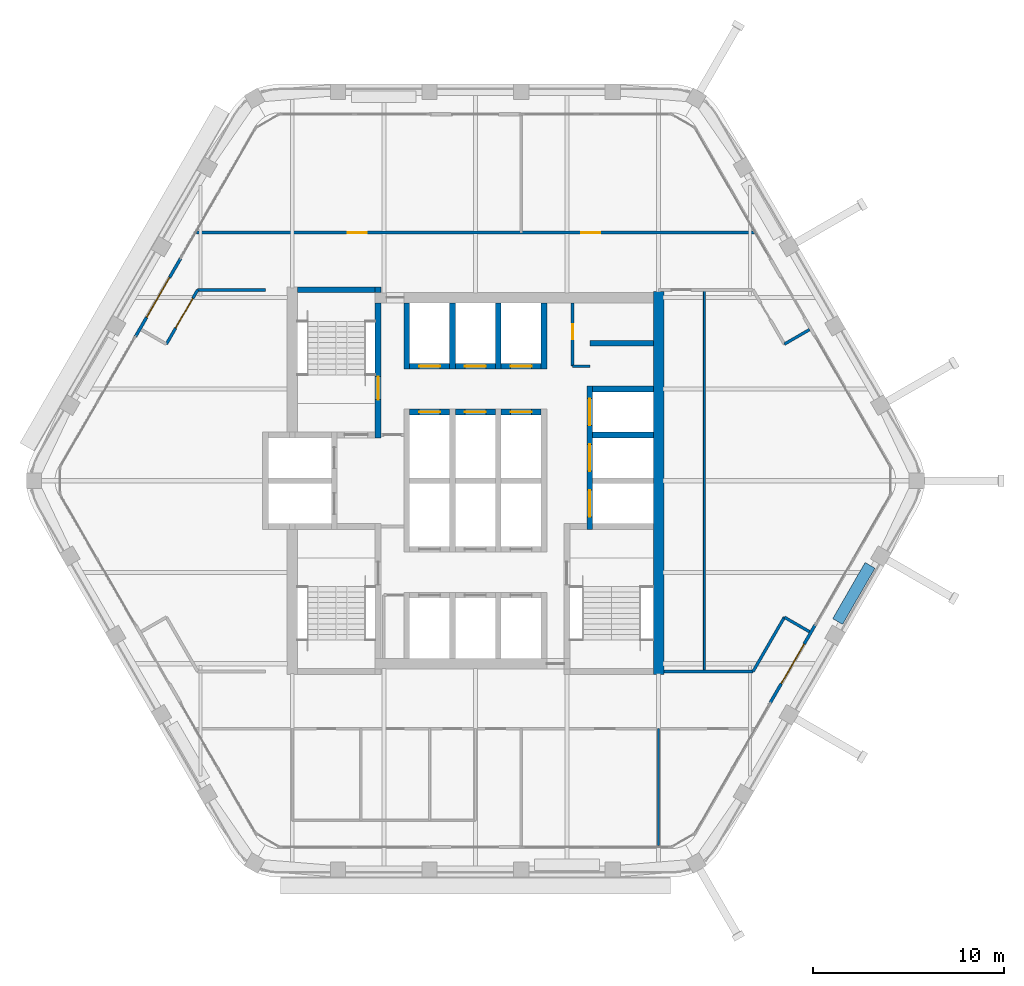
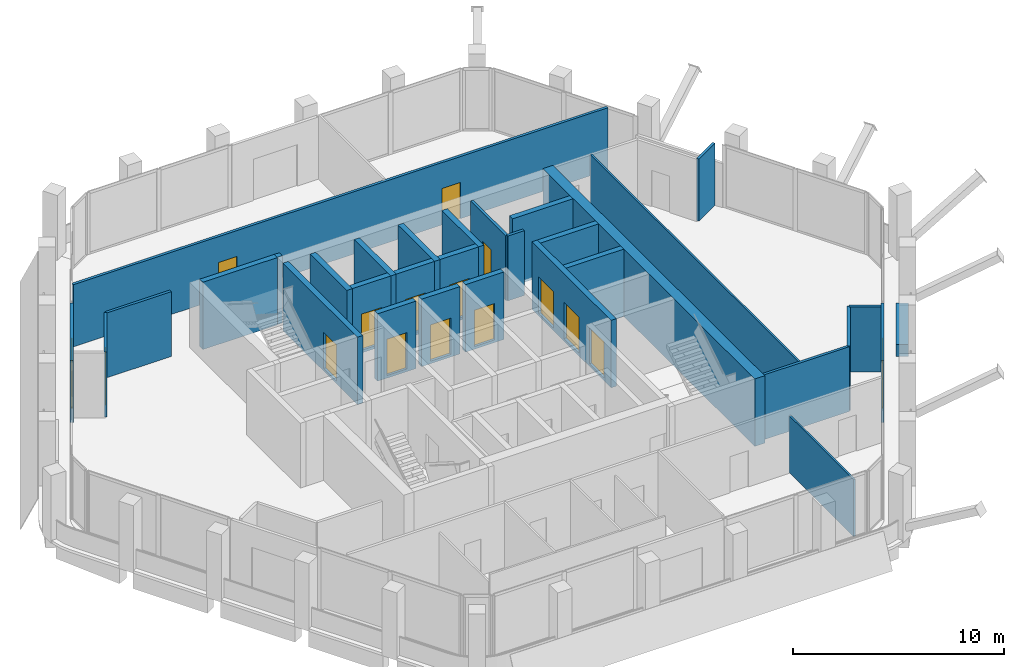
# One storey, part 9 of 14: 32 walls, 16 doors, 16 openings.
"""IFC4 building model written with IfcOpenShell, lengths in metres."""

from ifc_helpers import new_model, si_unit, direction, frame, frame_2d, origin, place, context, subcontext, project, spatial, rectangle, extrude, material, layer, layer_set, type_object, element, fill, save


model = new_model("IFC4")

# Units and contexts
model_context = context("Model", 3, precision=1e-05, world=origin(), true_north=direction((0.0, 1.0)))
body_context = subcontext(model_context, "Body", "Model", "MODEL_VIEW")
ifc_project = project(units=[si_unit("LENGTHUNIT", "METRE"), si_unit("AREAUNIT", "SQUARE_METRE"), si_unit("VOLUMEUNIT", "CUBIC_METRE"), si_unit("PLANEANGLEUNIT", "RADIAN"), si_unit("MASSUNIT", "GRAM", prefix="KILO")], contexts=[model_context])

# Site, building, storey
site_placement = place(None, origin())
site = spatial("IfcSite", under=ifc_project, at=site_placement, CompositionType="ELEMENT")
building_placement = place(site_placement, origin())
building = spatial("IfcBuilding", under=site, at=building_placement, Name="Kolab Exchange Tower", CompositionType="ELEMENT")
storey_placement = place(building_placement, frame((0.0, 0.0, 281.300048828125)))
storey = spatial("IfcBuildingStorey", under=building, at=storey_placement, Name="L63", CompositionType="ELEMENT", Elevation=281.300048828125)

# Wall
ifc_material_1 = material(Name="Concrete C50/60", Category="concrete")
ifc_layer_1 = layer(ifc_material_1, 0.550048828125)
ifc_layer_set_1 = layer_set([ifc_layer_1], Name="Concrete C50/60")
wall_type_1 = type_object("IfcWallType", Name="CORE WALL 550 C50/60", PredefinedType="SHEAR", material=ifc_layer_set_1)
wall_1_placement = place(storey_placement, frame((9.60009765625, -10.14990234375, -0.150146484375), z_axis=(0.0, 0.0, 1.0), x_axis=(0.0, 1.0, 0.0)))
element("IfcWall", 1, at=wall_1_placement, inside=storey, type_object=wall_type_1, Name="wall/L63/core/058", PredefinedType="SHEAR", context=body_context, shape_type="SweptSolid", body=[
    extrude(rectangle(XDim=20.074951171875, YDim=0.550048828125, at=frame_2d((10.03759765625, 0.0))), origin(), (0.0, 0.0, 1.0), 3.900146484375),
])

# Wall, opening, door
ifc_material_2 = material(Name="Aluminium EN AW-6063 T6", Category="aluminium")
ifc_layer_2 = layer(ifc_material_2, 0.159912109375)
ifc_layer_set_2 = layer_set([ifc_layer_2], Name="Aluminium EN AW-6063 T6")
wall_type_2 = type_object("IfcWallType", Name="DOOR SURROUND WALL 160 ALUMINIUM FRAMED", PredefinedType="PARTITIONING", material=ifc_layer_set_2)
wall_2_placement = place(storey_placement, frame((17.816650390625, -7.5498046875, 0.0), z_axis=(0.0, 0.0, 1.0), x_axis=(-0.499978080042, -0.866038058908, 0.0)))
wall_2 = element("IfcWall", 2, at=wall_2_placement, inside=storey, type_object=wall_type_2, Name="Door surround wall", PredefinedType="PARTITIONING", context=body_context, shape_type="SweptSolid", body=[
    extrude(rectangle(XDim=4.739990234375, YDim=0.159912109375, at=frame_2d((2.3701171875, 0.0))), origin(), (0.0, 0.0, 1.0), 3.599853515625),
])
opening_1_placement = place(wall_2_placement, frame((1.169921875, 0.0, 0.0)))
opening_1 = element("IfcOpeningElement", 3, at=opening_1_placement, cuts=wall_2, Name="Opening GD1-100", PredefinedType="OPENING", context=body_context, shape_type="SweptSolid", body=[
    extrude(rectangle(XDim=2.39990234375, YDim=2.39990234375, at=frame_2d((1.199951171875, 1.199951171875))), frame((0.0, 0.08984375, 0.0), z_axis=(0.0, -1.0, 0.0), x_axis=(1.0, 0.0, 0.0)), (0.0, 0.0, 1.0), 0.179931640625),
])
door_type_1 = type_object("IfcDoorType", Name="LOGGIA SLIDING GLASS DOOR 2400 X 2400", OperationType="DOUBLE_DOOR_SINGLE_SWING", PredefinedType="DOOR", material=ifc_material_2)
door_1_placement = place(opening_1_placement, origin())
door_1 = element("IfcDoor", 4, at=door_1_placement, inside=storey, type_object=door_type_1, Name="Loggia door", OperationType="DOUBLE_DOOR_SLIDING", OverallHeight=2.39990234375, OverallWidth=2.39990234375, PredefinedType="DOOR", context=body_context, shape_type="SweptSolid", body=[
    extrude(rectangle(XDim=2.39990234375, YDim=2.39990234375, at=frame_2d((1.199951171875, 1.199951171875))), frame((0.0, 0.02490234375, 0.0), z_axis=(0.0, -1.0, 0.0), x_axis=(1.0, 0.0, 0.0)), (0.0, 0.0, 1.0), 0.050048828125),
])
fill(opening_1, door_1)

wall_3_placement = place(storey_placement, frame((-17.816650390625, 7.5498046875, 0.0), z_axis=(0.0, 0.0, 1.0), x_axis=(0.499978080042, 0.866038058908, 0.0)))
wall_3 = element("IfcWall", 5, at=wall_3_placement, inside=storey, type_object=wall_type_2, Name="Door surround wall", PredefinedType="PARTITIONING", context=body_context, shape_type="SweptSolid", body=[
    extrude(rectangle(XDim=4.739990234375, YDim=0.159912109375, at=frame_2d((2.3701171875, 0.0))), origin(), (0.0, 0.0, 1.0), 3.599853515625),
])
opening_2_placement = place(wall_3_placement, frame((1.169921875, 0.0, 0.0)))
opening_2 = element("IfcOpeningElement", 6, at=opening_2_placement, cuts=wall_3, Name="Opening GD1-103", PredefinedType="OPENING", context=body_context, shape_type="SweptSolid", body=[
    extrude(rectangle(XDim=2.39990234375, YDim=2.39990234375, at=frame_2d((1.199951171875, 1.199951171875))), frame((0.0, 0.08984375, 0.0), z_axis=(0.0, -1.0, 0.0), x_axis=(1.0, 0.0, 0.0)), (0.0, 0.0, 1.0), 0.179931640625),
])
door_2_placement = place(opening_2_placement, origin())
door_2 = element("IfcDoor", 7, at=door_2_placement, inside=storey, type_object=door_type_1, Name="Loggia door", OperationType="DOUBLE_DOOR_SLIDING", OverallHeight=2.39990234375, OverallWidth=2.39990234375, PredefinedType="DOOR", context=body_context, shape_type="SweptSolid", body=[
    extrude(rectangle(XDim=2.39990234375, YDim=2.39990234375, at=frame_2d((1.199951171875, 1.199951171875))), frame((0.0, 0.02490234375, 0.0), z_axis=(0.0, -1.0, 0.0), x_axis=(1.0, 0.0, 0.0)), (0.0, 0.0, 1.0), 0.050048828125),
])
fill(opening_2, door_2)

# Wall
ifc_layer_3 = layer(ifc_material_1, 0.300048828125)
ifc_layer_set_3 = layer_set([ifc_layer_3], Name="Concrete C50/60")
wall_type_3 = type_object("IfcWallType", Name="LIFT SHAFT WALL 300 C50/60", PredefinedType="STANDARD", material=ifc_layer_set_3)
wall_4_placement = place(storey_placement, frame((6.14990234375, 2.39990234375, -0.150146484375), z_axis=(0.0, 0.0, 1.0), x_axis=(1.0, 0.0, 0.0)))
element("IfcWall", 8, at=wall_4_placement, inside=storey, type_object=wall_type_3, Name="wall/L63/core/022", PredefinedType="STANDARD", context=body_context, shape_type="SweptSolid", body=[
    extrude(rectangle(XDim=3.175048828125, YDim=0.300048828125, at=frame_2d((1.58740234375, 0.0))), origin(), (0.0, 0.0, 1.0), 3.900146484375),
])

# Wall, opening, door
wall_5_placement = place(storey_placement, frame((-3.449951171875, 3.60009765625, -0.150146484375), z_axis=(0.0, 0.0, 1.0), x_axis=(1.0, 0.0, 0.0)))
wall_5 = element("IfcWall", 9, at=wall_5_placement, inside=storey, type_object=wall_type_3, Name="wall/L63/core/023", PredefinedType="STANDARD", context=body_context, shape_type="SweptSolid", body=[
    extrude(rectangle(XDim=2.099853515625, YDim=0.300048828125, at=frame_2d((1.0498046875, 0.0))), origin(), (0.0, 0.0, 1.0), 3.900146484375),
])
opening_3_placement = place(wall_5_placement, frame((0.5, 0.0, 0.14990234375)))
opening_3 = element("IfcOpeningElement", 10, at=opening_3_placement, cuts=wall_5, Name="Opening LD1-115", PredefinedType="OPENING", context=body_context, shape_type="SweptSolid", body=[
    extrude(rectangle(XDim=1.10009765625, YDim=2.10009765625, at=frame_2d((0.550048828125, 1.050048828125))), frame((0.0, 0.16015625, 0.0), z_axis=(0.0, -1.0, 0.0), x_axis=(1.0, 0.0, 0.0)), (0.0, 0.0, 1.0), 0.320068359375),
])
ifc_material_3 = material(Name="Stainless steel 316", Category="steel")
door_type_2 = type_object("IfcDoorType", Name="LANDING DOOR 1100 PASSENGER", OperationType="DOUBLE_DOOR_SLIDING", PredefinedType="DOOR", material=ifc_material_3)
door_3_placement = place(opening_3_placement, origin())
door_3 = element("IfcDoor", 11, at=door_3_placement, inside=storey, type_object=door_type_2, Name="Landing door HR4", OperationType="DOUBLE_DOOR_SLIDING", OverallHeight=2.10009765625, OverallWidth=1.10009765625, PredefinedType="DOOR", context=body_context, shape_type="SweptSolid", body=[
    extrude(rectangle(XDim=1.10009765625, YDim=2.10009765625, at=frame_2d((0.550048828125, 1.050048828125))), frame((0.0, 0.02490234375, 0.0), z_axis=(0.0, -1.0, 0.0), x_axis=(1.0, 0.0, 0.0)), (0.0, 0.0, 1.0), 0.050048828125),
])
fill(opening_3, door_3)

wall_6_placement = place(storey_placement, frame((-1.050048828125, 3.60009765625, -0.150146484375), z_axis=(0.0, 0.0, 1.0), x_axis=(1.0, 0.0, 0.0)))
wall_6 = element("IfcWall", 12, at=wall_6_placement, inside=storey, type_object=wall_type_3, Name="wall/L63/core/024", PredefinedType="STANDARD", context=body_context, shape_type="SweptSolid", body=[
    extrude(rectangle(XDim=2.10009765625, YDim=0.300048828125, at=frame_2d((1.050048828125, 0.0))), origin(), (0.0, 0.0, 1.0), 3.900146484375),
])
opening_4_placement = place(wall_6_placement, frame((0.5, 0.0, 0.14990234375)))
opening_4 = element("IfcOpeningElement", 13, at=opening_4_placement, cuts=wall_6, Name="Opening LD1-116", PredefinedType="OPENING", context=body_context, shape_type="SweptSolid", body=[
    extrude(rectangle(XDim=1.10009765625, YDim=2.10009765625, at=frame_2d((0.550048828125, 1.050048828125))), frame((0.0, 0.16015625, 0.0), z_axis=(0.0, -1.0, 0.0), x_axis=(1.0, 0.0, 0.0)), (0.0, 0.0, 1.0), 0.320068359375),
])
door_4_placement = place(opening_4_placement, origin())
door_4 = element("IfcDoor", 14, at=door_4_placement, inside=storey, type_object=door_type_2, Name="Landing door HR5", OperationType="DOUBLE_DOOR_SLIDING", OverallHeight=2.10009765625, OverallWidth=1.10009765625, PredefinedType="DOOR", context=body_context, shape_type="SweptSolid", body=[
    extrude(rectangle(XDim=1.10009765625, YDim=2.10009765625, at=frame_2d((0.550048828125, 1.050048828125))), frame((0.0, 0.02490234375, 0.0), z_axis=(0.0, -1.0, 0.0), x_axis=(1.0, 0.0, 0.0)), (0.0, 0.0, 1.0), 0.050048828125),
])
fill(opening_4, door_4)

wall_7_placement = place(storey_placement, frame((1.35009765625, 3.60009765625, -0.150146484375), z_axis=(0.0, 0.0, 1.0), x_axis=(1.0, 0.0, 0.0)))
wall_7 = element("IfcWall", 15, at=wall_7_placement, inside=storey, type_object=wall_type_3, Name="wall/L63/core/025", PredefinedType="STANDARD", context=body_context, shape_type="SweptSolid", body=[
    extrude(rectangle(XDim=2.099853515625, YDim=0.300048828125, at=frame_2d((1.0498046875, 0.0))), origin(), (0.0, 0.0, 1.0), 3.900146484375),
])
opening_5_placement = place(wall_7_placement, frame((0.5, 0.0, 0.14990234375)))
opening_5 = element("IfcOpeningElement", 16, at=opening_5_placement, cuts=wall_7, Name="Opening LD1-117", PredefinedType="OPENING", context=body_context, shape_type="SweptSolid", body=[
    extrude(rectangle(XDim=1.10009765625, YDim=2.10009765625, at=frame_2d((0.550048828125, 1.050048828125))), frame((0.0, 0.16015625, 0.0), z_axis=(0.0, -1.0, 0.0), x_axis=(1.0, 0.0, 0.0)), (0.0, 0.0, 1.0), 0.320068359375),
])
door_5_placement = place(opening_5_placement, origin())
door_5 = element("IfcDoor", 17, at=door_5_placement, inside=storey, type_object=door_type_2, Name="Landing door HR6", OperationType="DOUBLE_DOOR_SLIDING", OverallHeight=2.10009765625, OverallWidth=1.10009765625, PredefinedType="DOOR", context=body_context, shape_type="SweptSolid", body=[
    extrude(rectangle(XDim=1.10009765625, YDim=2.10009765625, at=frame_2d((0.550048828125, 1.050048828125))), frame((0.0, 0.02490234375, 0.0), z_axis=(0.0, -1.0, 0.0), x_axis=(1.0, 0.0, 0.0)), (0.0, 0.0, 1.0), 0.050048828125),
])
fill(opening_5, door_5)

# Wall
wall_8_placement = place(storey_placement, frame((6.14990234375, 4.800048828125, -0.150146484375), z_axis=(0.0, 0.0, 1.0), x_axis=(1.0, 0.0, 0.0)))
element("IfcWall", 18, at=wall_8_placement, inside=storey, type_object=wall_type_3, Name="wall/L63/core/026", PredefinedType="STANDARD", context=body_context, shape_type="SweptSolid", body=[
    extrude(rectangle(XDim=3.175048828125, YDim=0.300048828125, at=frame_2d((1.58740234375, 0.0))), origin(), (0.0, 0.0, 1.0), 3.900146484375),
])

# Wall, opening, door
wall_9_placement = place(storey_placement, frame((-3.449951171875, 6.0, -0.150146484375), z_axis=(0.0, 0.0, 1.0), x_axis=(1.0, 0.0, 0.0)))
wall_9 = element("IfcWall", 19, at=wall_9_placement, inside=storey, type_object=wall_type_3, Name="wall/L63/core/027", PredefinedType="STANDARD", context=body_context, shape_type="SweptSolid", body=[
    extrude(rectangle(XDim=2.099853515625, YDim=0.300048828125, at=frame_2d((1.0498046875, 0.0))), origin(), (0.0, 0.0, 1.0), 3.900146484375),
])
opening_6_placement = place(wall_9_placement, frame((0.5, 0.0, 0.14990234375)))
opening_6 = element("IfcOpeningElement", 20, at=opening_6_placement, cuts=wall_9, Name="Opening LD1-109", PredefinedType="OPENING", context=body_context, shape_type="SweptSolid", body=[
    extrude(rectangle(XDim=1.10009765625, YDim=2.10009765625, at=frame_2d((0.550048828125, 1.050048828125))), frame((0.0, 0.16015625, 0.0), z_axis=(0.0, -1.0, 0.0), x_axis=(1.0, 0.0, 0.0)), (0.0, 0.0, 1.0), 0.320068359375),
])
door_6_placement = place(opening_6_placement, origin())
door_6 = element("IfcDoor", 21, at=door_6_placement, inside=storey, type_object=door_type_2, Name="Landing door HR1", OperationType="DOUBLE_DOOR_SLIDING", OverallHeight=2.10009765625, OverallWidth=1.10009765625, PredefinedType="DOOR", context=body_context, shape_type="SweptSolid", body=[
    extrude(rectangle(XDim=1.10009765625, YDim=2.10009765625, at=frame_2d((0.550048828125, 1.050048828125))), frame((0.0, 0.02490234375, 0.0), z_axis=(0.0, -1.0, 0.0), x_axis=(1.0, 0.0, 0.0)), (0.0, 0.0, 1.0), 0.050048828125),
])
fill(opening_6, door_6)

wall_10_placement = place(storey_placement, frame((-1.050048828125, 6.0, -0.150146484375), z_axis=(0.0, 0.0, 1.0), x_axis=(1.0, 0.0, 0.0)))
wall_10 = element("IfcWall", 22, at=wall_10_placement, inside=storey, type_object=wall_type_3, Name="wall/L63/core/028", PredefinedType="STANDARD", context=body_context, shape_type="SweptSolid", body=[
    extrude(rectangle(XDim=2.10009765625, YDim=0.300048828125, at=frame_2d((1.050048828125, 0.0))), origin(), (0.0, 0.0, 1.0), 3.900146484375),
])
opening_7_placement = place(wall_10_placement, frame((0.5, 0.0, 0.14990234375)))
opening_7 = element("IfcOpeningElement", 23, at=opening_7_placement, cuts=wall_10, Name="Opening LD1-113", PredefinedType="OPENING", context=body_context, shape_type="SweptSolid", body=[
    extrude(rectangle(XDim=1.10009765625, YDim=2.10009765625, at=frame_2d((0.550048828125, 1.050048828125))), frame((0.0, 0.16015625, 0.0), z_axis=(0.0, -1.0, 0.0), x_axis=(1.0, 0.0, 0.0)), (0.0, 0.0, 1.0), 0.320068359375),
])
door_7_placement = place(opening_7_placement, origin())
door_7 = element("IfcDoor", 24, at=door_7_placement, inside=storey, type_object=door_type_2, Name="Landing door HR2", OperationType="DOUBLE_DOOR_SLIDING", OverallHeight=2.10009765625, OverallWidth=1.10009765625, PredefinedType="DOOR", context=body_context, shape_type="SweptSolid", body=[
    extrude(rectangle(XDim=1.10009765625, YDim=2.10009765625, at=frame_2d((0.550048828125, 1.050048828125))), frame((0.0, 0.02490234375, 0.0), z_axis=(0.0, -1.0, 0.0), x_axis=(1.0, 0.0, 0.0)), (0.0, 0.0, 1.0), 0.050048828125),
])
fill(opening_7, door_7)

wall_11_placement = place(storey_placement, frame((1.35009765625, 6.0, -0.150146484375), z_axis=(0.0, 0.0, 1.0), x_axis=(1.0, 0.0, 0.0)))
wall_11 = element("IfcWall", 25, at=wall_11_placement, inside=storey, type_object=wall_type_3, Name="wall/L63/core/029", PredefinedType="STANDARD", context=body_context, shape_type="SweptSolid", body=[
    extrude(rectangle(XDim=2.099853515625, YDim=0.300048828125, at=frame_2d((1.0498046875, 0.0))), origin(), (0.0, 0.0, 1.0), 3.900146484375),
])
opening_8_placement = place(wall_11_placement, frame((0.5, 0.0, 0.14990234375)))
opening_8 = element("IfcOpeningElement", 26, at=opening_8_placement, cuts=wall_11, Name="Opening LD1-114", PredefinedType="OPENING", context=body_context, shape_type="SweptSolid", body=[
    extrude(rectangle(XDim=1.10009765625, YDim=2.10009765625, at=frame_2d((0.550048828125, 1.050048828125))), frame((0.0, 0.16015625, 0.0), z_axis=(0.0, -1.0, 0.0), x_axis=(1.0, 0.0, 0.0)), (0.0, 0.0, 1.0), 0.320068359375),
])
door_8_placement = place(opening_8_placement, origin())
door_8 = element("IfcDoor", 27, at=door_8_placement, inside=storey, type_object=door_type_2, Name="Landing door HR3", OperationType="DOUBLE_DOOR_SLIDING", OverallHeight=2.10009765625, OverallWidth=1.10009765625, PredefinedType="DOOR", context=body_context, shape_type="SweptSolid", body=[
    extrude(rectangle(XDim=1.10009765625, YDim=2.10009765625, at=frame_2d((0.550048828125, 1.050048828125))), frame((0.0, 0.02490234375, 0.0), z_axis=(0.0, -1.0, 0.0), x_axis=(1.0, 0.0, 0.0)), (0.0, 0.0, 1.0), 0.050048828125),
])
fill(opening_8, door_8)

# Walls
wall_12_placement = place(storey_placement, frame((6.0, 7.199951171875, -0.150146484375), z_axis=(0.0, 0.0, 1.0), x_axis=(1.0, 0.0, 0.0)))
element("IfcWall", 28, at=wall_12_placement, inside=storey, type_object=wall_type_3, Name="wall/L63/core/030", PredefinedType="STANDARD", context=body_context, shape_type="SweptSolid", body=[
    extrude(rectangle(XDim=3.324951171875, YDim=0.300048828125, at=frame_2d((1.66259765625, 0.0))), origin(), (0.0, 0.0, 1.0), 3.900146484375),
])
for number, where, z_axis, x_axis, name in (
    (29, (-3.60009765625, 5.85009765625, -0.150146484375), (0.0, 0.0, 1.0), (0.0, 1.0, 0.0), "wall/L63/core/045"),
    (30, (-1.199951171875, 5.85009765625, -0.150146484375), (0.0, 0.0, 1.0), (0.0, 1.0, 0.0), "wall/L63/core/048"),
    (31, (1.199951171875, 5.85009765625, -0.150146484375), (0.0, 0.0, 1.0), (0.0, 1.0, 0.0), "wall/L63/core/051"),
    (32, (3.60009765625, 5.85009765625, -0.150146484375), (0.0, 0.0, 1.0), (0.0, 1.0, 0.0), "wall/L63/core/054"),
):
    element("IfcWall", number, at=place(storey_placement, frame(where, z_axis=z_axis, x_axis=x_axis)), inside=storey, type_object=wall_type_3, Name=name, PredefinedType="STANDARD", context=body_context, shape_type="SweptSolid", body=[
        extrude(rectangle(XDim=3.474853515625, YDim=0.300048828125, at=frame_2d((1.7373046875, 0.0))), origin(), (0.0, 0.0, 1.0), 3.900146484375),
    ])

# Wall, openings, doors
wall_13_placement = place(storey_placement, frame((6.0, -2.550048828125, -0.150146484375), z_axis=(0.0, 0.0, 1.0), x_axis=(0.0, 1.0, 0.0)))
wall_13 = element("IfcWall", 33, at=wall_13_placement, inside=storey, type_object=wall_type_3, Name="wall/L63/core/057", PredefinedType="STANDARD", context=body_context, shape_type="SweptSolid", body=[
    extrude(rectangle(XDim=7.5, YDim=0.300048828125, at=frame_2d((3.75, 0.0))), origin(), (0.0, 0.0, 1.0), 3.900146484375),
])
opening_9_placement = place(wall_13_placement, frame((0.64990234375, 0.0, 0.14990234375)))
opening_9 = element("IfcOpeningElement", 34, at=opening_9_placement, cuts=wall_13, Name="Opening LD3-037", PredefinedType="OPENING", context=body_context, shape_type="SweptSolid", body=[
    extrude(rectangle(XDim=1.39990234375, YDim=2.10009765625, at=frame_2d((0.699951171875, 1.050048828125))), frame((0.0, 0.16015625, 0.0), z_axis=(0.0, -1.0, 0.0), x_axis=(1.0, 0.0, 0.0)), (0.0, 0.0, 1.0), 0.320068359375),
])
opening_10_placement = place(wall_13_placement, frame((3.050048828125, 0.0, 0.14990234375)))
opening_10 = element("IfcOpeningElement", 35, at=opening_10_placement, cuts=wall_13, Name="Opening LD3-038", PredefinedType="OPENING", context=body_context, shape_type="SweptSolid", body=[
    extrude(rectangle(XDim=1.39990234375, YDim=2.10009765625, at=frame_2d((0.699951171875, 1.050048828125))), frame((0.0, 0.16015625, 0.0), z_axis=(0.0, -1.0, 0.0), x_axis=(1.0, 0.0, 0.0)), (0.0, 0.0, 1.0), 0.320068359375),
])
opening_11_placement = place(wall_13_placement, frame((5.449951171875, 0.0, 0.14990234375)))
opening_11 = element("IfcOpeningElement", 36, at=opening_11_placement, cuts=wall_13, Name="Opening LD3-039", PredefinedType="OPENING", context=body_context, shape_type="SweptSolid", body=[
    extrude(rectangle(XDim=1.39990234375, YDim=2.10009765625, at=frame_2d((0.699951171875, 1.050048828125))), frame((0.0, 0.16015625, 0.0), z_axis=(0.0, -1.0, 0.0), x_axis=(1.0, 0.0, 0.0)), (0.0, 0.0, 1.0), 0.320068359375),
])
door_type_3 = type_object("IfcDoorType", Name="LANDING DOOR 1400 SERVICE", OperationType="DOUBLE_DOOR_SLIDING", PredefinedType="DOOR", material=ifc_material_3)
door_9_placement = place(opening_9_placement, origin())
door_9 = element("IfcDoor", 37, at=door_9_placement, inside=storey, type_object=door_type_3, Name="Landing door SV1", OperationType="DOUBLE_DOOR_SLIDING", OverallHeight=2.10009765625, OverallWidth=1.39990234375, PredefinedType="DOOR", context=body_context, shape_type="SweptSolid", body=[
    extrude(rectangle(XDim=1.39990234375, YDim=2.10009765625, at=frame_2d((0.699951171875, 1.050048828125))), frame((0.0, 0.02490234375, 0.0), z_axis=(0.0, -1.0, 0.0), x_axis=(1.0, 0.0, 0.0)), (0.0, 0.0, 1.0), 0.050048828125),
])
fill(opening_9, door_9)
door_10_placement = place(opening_10_placement, origin())
door_10 = element("IfcDoor", 38, at=door_10_placement, inside=storey, type_object=door_type_3, Name="Landing door SV2", OperationType="DOUBLE_DOOR_SLIDING", OverallHeight=2.10009765625, OverallWidth=1.39990234375, PredefinedType="DOOR", context=body_context, shape_type="SweptSolid", body=[
    extrude(rectangle(XDim=1.39990234375, YDim=2.10009765625, at=frame_2d((0.699951171875, 1.050048828125))), frame((0.0, 0.02490234375, 0.0), z_axis=(0.0, -1.0, 0.0), x_axis=(1.0, 0.0, 0.0)), (0.0, 0.0, 1.0), 0.050048828125),
])
fill(opening_10, door_10)
door_11_placement = place(opening_11_placement, origin())
door_11 = element("IfcDoor", 39, at=door_11_placement, inside=storey, type_object=door_type_3, Name="Landing door SV3", OperationType="DOUBLE_DOOR_SLIDING", OverallHeight=2.10009765625, OverallWidth=1.39990234375, PredefinedType="DOOR", context=body_context, shape_type="SweptSolid", body=[
    extrude(rectangle(XDim=1.39990234375, YDim=2.10009765625, at=frame_2d((0.699951171875, 1.050048828125))), frame((0.0, 0.02490234375, 0.0), z_axis=(0.0, -1.0, 0.0), x_axis=(1.0, 0.0, 0.0)), (0.0, 0.0, 1.0), 0.050048828125),
])
fill(opening_11, door_11)

# Walls
ifc_material_4 = material(Name="Gypsum board", Category="gypsum")
ifc_layer_4 = layer(ifc_material_4, 0.10009765625)
ifc_layer_set_4 = layer_set([ifc_layer_4], Name="Gypsum board")
wall_type_4 = type_object("IfcWallType", Name="PARTITION 100", PredefinedType="PARTITIONING", material=ifc_layer_set_4)
wall_14_placement = place(storey_placement, frame((12.0, -10.0, 0.0), z_axis=(0.0, 0.0, 1.0), x_axis=(0.0, 1.0, 0.0)))
element("IfcWall", 40, at=wall_14_placement, inside=storey, type_object=wall_type_4, Name="Partition 000", PredefinedType="PARTITIONING", context=body_context, shape_type="SweptSolid", body=[
    extrude(rectangle(XDim=20.0, YDim=0.10009765625, at=frame_2d((10.0, 0.0))), origin(), (0.0, 0.0, 1.0), 3.599853515625),
])
wall_15_placement = place(storey_placement, frame((9.60009765625, -19.114501953125, 0.0), z_axis=(0.0, 0.0, 1.0), x_axis=(0.0, 1.0, 0.0)))
element("IfcWall", 41, at=wall_15_placement, inside=storey, type_object=wall_type_4, Name="Partition 001", PredefinedType="PARTITIONING", context=body_context, shape_type="SweptSolid", body=[
    extrude(rectangle(XDim=6.114501953125, YDim=0.10009765625, at=frame_2d((3.05712890625, 0.0))), origin(), (0.0, 0.0, 1.0), 3.29296875),
])

# Wall, opening, door
ifc_layer_5 = layer(ifc_material_4, 0.14990234375)
ifc_layer_set_5 = layer_set([ifc_layer_5], Name="Gypsum board")
wall_type_5 = type_object("IfcWallType", Name="PARTITION 150 FIRE-RATED", PredefinedType="PARTITIONING", material=ifc_layer_set_5)
wall_16_placement = place(storey_placement, frame((5.10009765625, 6.0, 0.0), z_axis=(0.0, 0.0, 1.0), x_axis=(0.0, 1.0, 0.0)))
wall_16 = element("IfcWall", 42, at=wall_16_placement, inside=storey, type_object=wall_type_5, Name="Partition 002", PredefinedType="PARTITIONING", context=body_context, shape_type="SweptSolid", body=[
    extrude(rectangle(XDim=3.324951171875, YDim=0.14990234375, at=frame_2d((1.66259765625, 0.0))), origin(), (0.0, 0.0, 1.0), 3.75),
])
opening_12_placement = place(wall_16_placement, frame((1.39990234375, 0.0, 0.0)))
opening_12 = element("IfcOpeningElement", 43, at=opening_12_placement, cuts=wall_16, Name="Opening D7-042", PredefinedType="OPENING", context=body_context, shape_type="SweptSolid", body=[
    extrude(rectangle(XDim=0.800048828125, YDim=2.10009765625, at=frame_2d((0.39990234375, 1.050048828125))), frame((0.0, 0.0849609375, 0.0), z_axis=(0.0, -1.0, 0.0), x_axis=(1.0, 0.0, 0.0)), (0.0, 0.0, 1.0), 0.169921875),
])
ifc_material_5 = material(Name="Steel S235", Category="steel")
door_type_4 = type_object("IfcDoorType", Name="FLUSH DOOR 800 FD60", OperationType="SINGLE_SWING_LEFT", PredefinedType="DOOR", material=ifc_material_5)
door_12_placement = place(opening_12_placement, frame((0.800048828125, 0.0, 0.0), z_axis=(0.0, 0.0, 1.0), x_axis=(-1.0, 0.0, 0.0)))
door_12 = element("IfcDoor", 44, at=door_12_placement, inside=storey, type_object=door_type_4, Name="Door L63-023", OperationType="SINGLE_SWING_LEFT", OverallHeight=2.10009765625, OverallWidth=0.800048828125, PredefinedType="DOOR", context=body_context, shape_type="SweptSolid", body=[
    extrude(rectangle(XDim=0.800048828125, YDim=2.10009765625, at=frame_2d((0.39990234375, 1.050048828125))), frame((0.0, 0.02490234375, 0.0), z_axis=(0.0, -1.0, 0.0), x_axis=(1.0, 0.0, 0.0)), (0.0, 0.0, 1.0), 0.050048828125),
])
fill(opening_12, door_12)

# Wall
wall_17_placement = place(storey_placement, frame((14.5546875, -10.0, 0.0), z_axis=(0.0, 0.0, 1.0), x_axis=(0.499954196102, 0.866051847062, 0.0)))
element("IfcWall", 45, at=wall_17_placement, inside=storey, type_object=wall_type_5, Name="Partition 012", PredefinedType="PARTITIONING", context=body_context, shape_type="SweptSolid", body=[
    extrude(rectangle(XDim=3.282958984375, YDim=0.14990234375, at=frame_2d((1.6416015625, 0.0))), origin(), (0.0, 0.0, 1.0), 3.75),
])

# Wall, opening, door
wall_18_placement = place(storey_placement, frame((-16.196044921875, 7.15673828125, 0.0), z_axis=(0.0, 0.0, 1.0), x_axis=(0.499954196102, 0.866051847062, 0.0)))
wall_18 = element("IfcWall", 46, at=wall_18_placement, inside=storey, type_object=wall_type_5, Name="Partition 013", PredefinedType="PARTITIONING", context=body_context, shape_type="SweptSolid", body=[
    extrude(rectangle(XDim=3.282958984375, YDim=0.14990234375, at=frame_2d((1.6416015625, 0.0))), origin(), (0.0, 0.0, 1.0), 3.75),
])
opening_13_placement = place(wall_18_placement, frame((0.968994140625, 0.0, 0.0)))
opening_13 = element("IfcOpeningElement", 47, at=opening_13_placement, cuts=wall_18, Name="Opening D2-075", PredefinedType="OPENING", context=body_context, shape_type="SweptSolid", body=[
    extrude(rectangle(XDim=1.800048828125, YDim=2.10009765625, at=frame_2d((0.89990234375, 1.050048828125))), frame((0.0, 0.0849609375, 0.0), z_axis=(0.0, -1.0, 0.0), x_axis=(1.0, 0.0, 0.0)), (0.0, 0.0, 1.0), 0.169921875),
])
door_type_5 = type_object("IfcDoorType", Name="DOUBLE DOOR 1800 FD60", OperationType="DOUBLE_DOOR_SINGLE_SWING", PredefinedType="DOOR", material=ifc_material_5)
door_13_placement = place(opening_13_placement, frame((1.800048828125, 0.0, 0.0), z_axis=(0.0, 0.0, 1.0), x_axis=(-1.0, 0.0, 0.0)))
door_13 = element("IfcDoor", 48, at=door_13_placement, inside=storey, type_object=door_type_5, Name="Door L63-039", OperationType="SINGLE_SWING_RIGHT", OverallHeight=2.10009765625, OverallWidth=1.800048828125, PredefinedType="DOOR", context=body_context, shape_type="SweptSolid", body=[
    extrude(rectangle(XDim=1.800048828125, YDim=2.10009765625, at=frame_2d((0.89990234375, 1.050048828125))), frame((0.0, 0.02490234375, 0.0), z_axis=(0.0, -1.0, 0.0), x_axis=(1.0, 0.0, 0.0)), (0.0, 0.0, 1.0), 0.050048828125),
])
fill(opening_13, door_13)

# Walls
wall_19_placement = place(storey_placement, frame((16.196044921875, -7.15673828125, 0.0), z_axis=(0.0, 0.0, 1.0), x_axis=(0.865960906633, -0.500111695708, 0.0)))
element("IfcWall", 49, at=wall_19_placement, inside=storey, type_object=wall_type_5, Name="Partition 015", PredefinedType="PARTITIONING", context=body_context, shape_type="SweptSolid", body=[
    extrude(rectangle(XDim=1.520263671875, YDim=0.14990234375, at=frame_2d((0.76025390625, 0.0))), origin(), (0.0, 0.0, 1.0), 3.75),
])
wall_20_placement = place(storey_placement, frame((16.196044921875, 7.15673828125, 0.0), z_axis=(0.0, 0.0, 1.0), x_axis=(0.865960906633, 0.500111695708, 0.0)))
element("IfcWall", 50, at=wall_20_placement, inside=storey, type_object=wall_type_5, Name="Partition 016", PredefinedType="PARTITIONING", context=body_context, shape_type="SweptSolid", body=[
    extrude(rectangle(XDim=1.520263671875, YDim=0.14990234375, at=frame_2d((0.76025390625, 0.0))), origin(), (0.0, 0.0, 1.0), 3.599853515625),
])
wall_21_placement = place(storey_placement, frame((9.875, -10.0, 0.0), z_axis=(0.0, 0.0, 1.0), x_axis=(1.0, 0.0, 0.0)))
element("IfcWall", 51, at=wall_21_placement, inside=storey, type_object=wall_type_5, Name="Partition 021", PredefinedType="PARTITIONING", context=body_context, shape_type="SweptSolid", body=[
    extrude(rectangle(XDim=4.6796875, YDim=0.14990234375, at=frame_2d((2.33984375, 0.0))), origin(), (0.0, 0.0, 1.0), 3.75),
])
wall_22_placement = place(storey_placement, frame((5.10009765625, 6.0, 0.0), z_axis=(0.0, 0.0, 1.0), x_axis=(1.0, 0.0, 0.0)))
element("IfcWall", 52, at=wall_22_placement, inside=storey, type_object=wall_type_5, Name="Partition 023", PredefinedType="PARTITIONING", context=body_context, shape_type="SweptSolid", body=[
    extrude(rectangle(XDim=0.89990234375, YDim=0.14990234375, at=frame_2d((0.449951171875, 0.0))), origin(), (0.0, 0.0, 1.0), 3.75),
])
wall_23_placement = place(storey_placement, frame((-14.5546875, 10.0, 0.0), z_axis=(0.0, 0.0, 1.0), x_axis=(1.0, 0.0, 0.0)))
element("IfcWall", 53, at=wall_23_placement, inside=storey, type_object=wall_type_5, Name="Partition 024", PredefinedType="PARTITIONING", context=body_context, shape_type="SweptSolid", body=[
    extrude(rectangle(XDim=3.5546875, YDim=0.14990234375, at=frame_2d((1.77734375, 0.0))), origin(), (0.0, 0.0, 1.0), 3.75),
])

# Wall, openings, doors
wall_24_placement = place(storey_placement, frame((-14.623779296875, 13.0, 0.0), z_axis=(0.0, 0.0, 1.0), x_axis=(1.0, 0.0, 0.0)))
wall_24 = element("IfcWall", 54, at=wall_24_placement, inside=storey, type_object=wall_type_5, Name="Partition 026", PredefinedType="PARTITIONING", context=body_context, shape_type="SweptSolid", body=[
    extrude(rectangle(XDim=29.24755859375, YDim=0.14990234375, at=frame_2d((14.623779296875, 0.0))), origin(), (0.0, 0.0, 1.0), 3.599853515625),
])
opening_14_placement = place(wall_24_placement, frame((7.942626953125, 0.0, 0.0)))
opening_14 = element("IfcOpeningElement", 55, at=opening_14_placement, cuts=wall_24, Name="Opening D1-737", PredefinedType="OPENING", context=body_context, shape_type="SweptSolid", body=[
    extrude(rectangle(XDim=1.0, YDim=2.10009765625, at=frame_2d((0.5, 1.050048828125))), frame((0.0, 0.0849609375, 0.0), z_axis=(0.0, -1.0, 0.0), x_axis=(1.0, 0.0, 0.0)), (0.0, 0.0, 1.0), 0.169921875),
])
opening_15_placement = place(wall_24_placement, frame((20.168701171875, 0.0, 0.0)))
opening_15 = element("IfcOpeningElement", 56, at=opening_15_placement, cuts=wall_24, Name="Opening D1-738", PredefinedType="OPENING", context=body_context, shape_type="SweptSolid", body=[
    extrude(rectangle(XDim=1.0, YDim=2.10009765625, at=frame_2d((0.5, 1.050048828125))), frame((0.0, 0.0849609375, 0.0), z_axis=(0.0, -1.0, 0.0), x_axis=(1.0, 0.0, 0.0)), (0.0, 0.0, 1.0), 0.169921875),
])
door_type_6 = type_object("IfcDoorType", Name="FLUSH DOOR 1000 FD60", OperationType="SINGLE_SWING_LEFT", PredefinedType="DOOR", material=ifc_material_5)
door_14_placement = place(opening_14_placement, origin())
door_14 = element("IfcDoor", 57, at=door_14_placement, inside=storey, type_object=door_type_6, Name="Door L63-029", OperationType="SINGLE_SWING_LEFT", OverallHeight=2.10009765625, OverallWidth=1.0, PredefinedType="DOOR", context=body_context, shape_type="SweptSolid", body=[
    extrude(rectangle(XDim=1.0, YDim=2.10009765625, at=frame_2d((0.5, 1.050048828125))), frame((0.0, 0.02490234375, 0.0), z_axis=(0.0, -1.0, 0.0), x_axis=(1.0, 0.0, 0.0)), (0.0, 0.0, 1.0), 0.050048828125),
])
fill(opening_14, door_14)
door_15_placement = place(opening_15_placement, origin())
door_15 = element("IfcDoor", 58, at=door_15_placement, inside=storey, type_object=door_type_6, Name="Door L63-030", OperationType="SINGLE_SWING_LEFT", OverallHeight=2.10009765625, OverallWidth=1.0, PredefinedType="DOOR", context=body_context, shape_type="SweptSolid", body=[
    extrude(rectangle(XDim=1.0, YDim=2.10009765625, at=frame_2d((0.5, 1.050048828125))), frame((0.0, 0.02490234375, 0.0), z_axis=(0.0, -1.0, 0.0), x_axis=(1.0, 0.0, 0.0)), (0.0, 0.0, 1.0), 0.050048828125),
])
fill(opening_15, door_15)

# Walls
ifc_material_6 = material(Name="Granite facing", Category="masonry")
ifc_layer_6 = layer(ifc_material_6, 0.0400390625)
ifc_material_7 = material(Name="Concrete C40/50 precast", Category="concrete")
ifc_layer_7 = layer(ifc_material_7, 0.56005859375)
ifc_layer_set_6 = layer_set([ifc_layer_6, ifc_layer_7], Name="Concrete C40/50 precast")
wall_type_6 = type_object("IfcWallType", Name="PLANTER BOX 600 X 700 SOIL DEPTH 550", PredefinedType="USERDEFINED", material=ifc_layer_set_6)
wall_25_placement = place(storey_placement, frame((20.68701171875, -4.438232421875, 0.0), z_axis=(0.0, 0.0, 1.0), x_axis=(-0.500008388397, -0.866020560687, 0.0)))
element("IfcWall", 59, at=wall_25_placement, inside=storey, type_object=wall_type_6, Name="Planter", ObjectType="PLANTER", PredefinedType="USERDEFINED", context=body_context, shape_type="SweptSolid", body=[
    extrude(rectangle(XDim=3.39990234375, YDim=0.60009765625, at=frame_2d((1.699951171875, 0.0))), origin(), (0.0, 0.0, 1.0), 0.699951171875),
])
ifc_layer_8 = layer(ifc_material_1, 0.300048828125)
ifc_layer_set_7 = layer_set([ifc_layer_8], Name="Concrete C50/60")
wall_type_7 = type_object("IfcWallType", Name="STAIR ENCLOSURE WALL 300 C50/60", PredefinedType="STANDARD", material=ifc_layer_set_7)
wall_26_placement = place(storey_placement, frame((-9.324951171875, 10.0, -0.150146484375), z_axis=(0.0, 0.0, 1.0), x_axis=(1.0, 0.0, 0.0)))
element("IfcWall", 60, at=wall_26_placement, inside=storey, type_object=wall_type_7, Name="wall/L63/core/032", PredefinedType="STANDARD", context=body_context, shape_type="SweptSolid", body=[
    extrude(rectangle(XDim=4.074951171875, YDim=0.300048828125, at=frame_2d((2.03759765625, 0.0))), origin(), (0.0, 0.0, 1.0), 3.900146484375),
])

# Wall, opening, door
wall_27_placement = place(storey_placement, frame((-5.10009765625, 2.25, -0.150146484375), z_axis=(0.0, 0.0, 1.0), x_axis=(0.0, 1.0, 0.0)))
wall_27 = element("IfcWall", 61, at=wall_27_placement, inside=storey, type_object=wall_type_7, Name="wall/L63/core/041", PredefinedType="STANDARD", context=body_context, shape_type="SweptSolid", body=[
    extrude(rectangle(XDim=7.074951171875, YDim=0.300048828125, at=frame_2d((3.53759765625, 0.0))), origin(), (0.0, 0.0, 1.0), 3.900146484375),
])
opening_16_placement = place(wall_27_placement, frame((2.0, 0.0, 0.14990234375)))
opening_16 = element("IfcOpeningElement", 62, at=opening_16_placement, cuts=wall_27, Name="Opening D4-076", PredefinedType="OPENING", context=body_context, shape_type="SweptSolid", body=[
    extrude(rectangle(XDim=1.199951171875, YDim=2.10009765625, at=frame_2d((0.60009765625, 1.050048828125))), frame((0.0, 0.16015625, 0.0), z_axis=(0.0, -1.0, 0.0), x_axis=(1.0, 0.0, 0.0)), (0.0, 0.0, 1.0), 0.320068359375),
])
door_type_7 = type_object("IfcDoorType", Name="STAIR DOOR 1200 EI 120", OperationType="SINGLE_SWING_LEFT", PredefinedType="DOOR", material=ifc_material_5)
door_16_placement = place(opening_16_placement, origin())
door_16 = element("IfcDoor", 63, at=door_16_placement, inside=storey, type_object=door_type_7, Name="Stair 1 door", OperationType="SINGLE_SWING_LEFT", OverallHeight=2.10009765625, OverallWidth=1.199951171875, PredefinedType="DOOR", context=body_context, shape_type="SweptSolid", body=[
    extrude(rectangle(XDim=1.199951171875, YDim=2.10009765625, at=frame_2d((0.60009765625, 1.050048828125))), frame((0.0, 0.02490234375, 0.0), z_axis=(0.0, -1.0, 0.0), x_axis=(1.0, 0.0, 0.0)), (0.0, 0.0, 1.0), 0.050048828125),
])
fill(opening_16, door_16)

# Wall
wall_28_placement = place(storey_placement, frame((-5.10009765625, 9.875, -0.150146484375), z_axis=(0.0, 0.0, 1.0), x_axis=(0.0, 1.0, 0.0)))
element("IfcWall", 64, at=wall_28_placement, inside=storey, type_object=wall_type_7, Name="wall/L63/core/042", PredefinedType="STANDARD", context=body_context, shape_type="SweptSolid", body=[
    extrude(rectangle(XDim=0.27490234375, YDim=0.300048828125, at=frame_2d((0.137451171875, 0.0))), origin(), (0.0, 0.0, 1.0), 3.900146484375),
])

save(model, "model.ifc")
